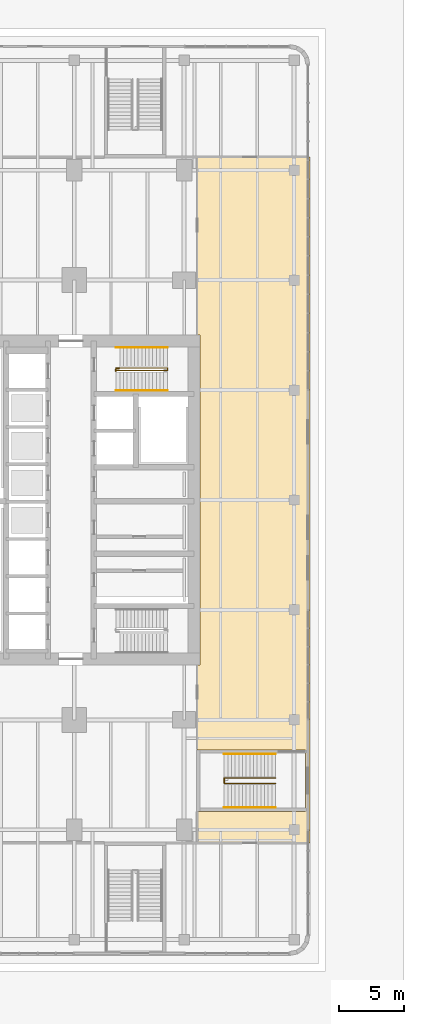
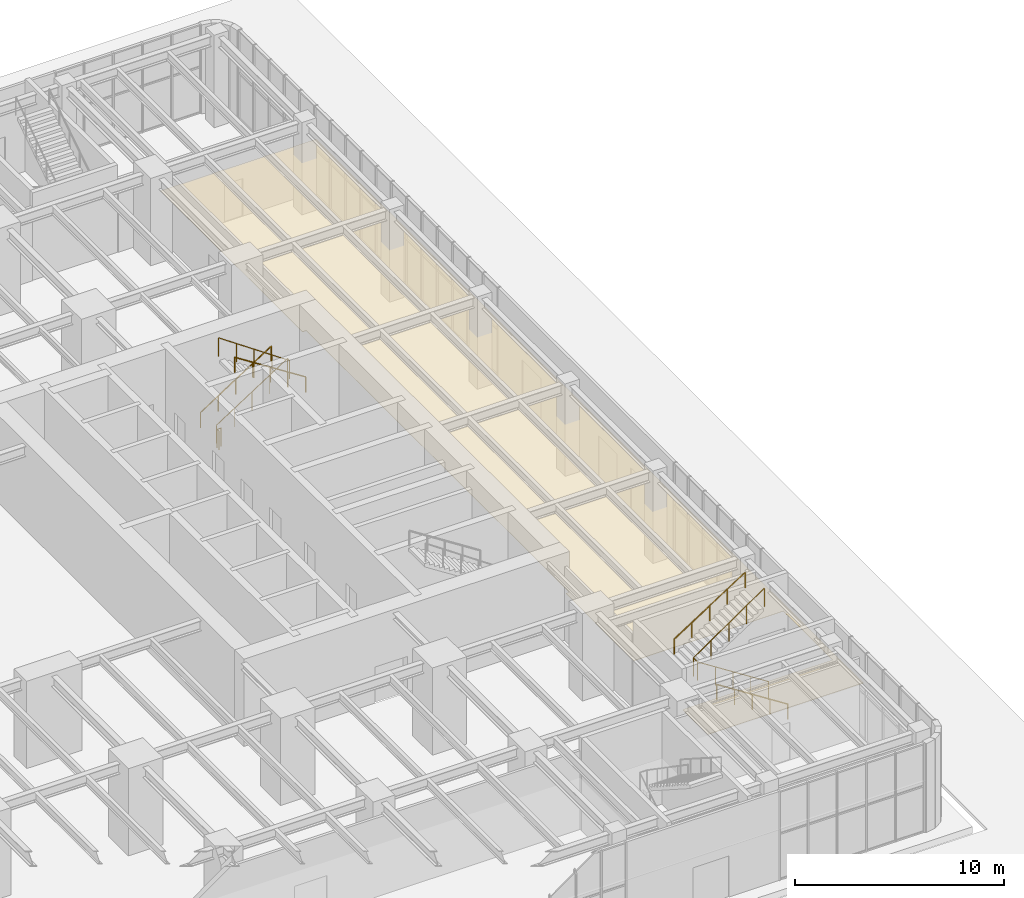
# One storey, part 29 of 31: 7 railings, 1 covering.
"""IFC4 building model written with IfcOpenShell, lengths in metres."""

import ifcopenshell
import ifcopenshell.guid

model = None  # the IFC model being written
_history = None  # IfcOwnerHistory: only IFC2X3 demands one
_inside = {}  # id of a spatial element -> (the spatial element, [elements in it])
_under = {}  # id of a project, library or spatial element -> (it, [spatial elements below it])
_declared = {}  # id of a project -> (the project, [libraries it declares])
_typed = {}  # id of a type object -> (the type object, [elements of that type])
_made_of = {}  # id of a material, layer set ... -> (it, [elements and type objects made of it])


def new_model(schema):
    """Start an empty IFC model of exactly this schema.

    Asked for "IFC4X3", IfcOpenShell would pick the latest addendum, in which some entities
    have other attributes; the version numbers below select the first issue.
    IFC2X3 requires an IfcOwnerHistory on every rooted entity: one is made here for all.
    """
    global model, _history
    if schema == "IFC4X3":
        model = ifcopenshell.file(schema_version=(4, 3, 0, 0))
    else:
        model = ifcopenshell.file(schema=schema)
    _inside.clear()
    _under.clear()
    _declared.clear()
    _typed.clear()
    _made_of.clear()
    _history = None
    if model.schema == "IFC2X3":
        org = make("IfcOrganization", Name="unknown")
        user = make(
            "IfcPersonAndOrganization",
            ThePerson=make("IfcPerson", FamilyName="unknown"),
            TheOrganization=org,
        )
        app = make(
            "IfcApplication",
            ApplicationDeveloper=org,
            Version="unknown",
            ApplicationFullName="unknown",
            ApplicationIdentifier="unknown",
        )
        _history = make(
            "IfcOwnerHistory",
            OwningUser=user,
            OwningApplication=app,
            ChangeAction="ADDED",
            CreationDate=0,
        )
    return model


def make(cls, **values):
    """One entity of the class cls with the attributes given. An attribute that is None is left unset."""
    return model.create_entity(
        cls, **{name: value for name, value in values.items() if value is not None}
    )


def rooted(cls, **values):
    """An entity with a GlobalId (a new one), such as an element, a storey or a relation."""
    return make(cls, GlobalId=ifcopenshell.guid.new(), OwnerHistory=_history, **values)


def si_unit(unit_type, name, prefix=None):
    """IfcSIUnit, for example si_unit("LENGTHUNIT", "METRE", prefix="MILLI")."""
    return make("IfcSIUnit", UnitType=unit_type, Prefix=prefix, Name=name)


def assignment(units):
    """IfcUnitAssignment: the units of a project."""
    return None if units is None else make("IfcUnitAssignment", Units=units)


def point(xyz):
    """IfcCartesianPoint."""
    return None if xyz is None else make("IfcCartesianPoint", Coordinates=xyz)


def direction(xyz):
    """IfcDirection."""
    return None if xyz is None else make("IfcDirection", DirectionRatios=xyz)


def frame(location, z_axis=None, x_axis=None):
    """IfcAxis2Placement3D, a coordinate frame: its origin and axes. An axis left out is left unset."""
    return make(
        "IfcAxis2Placement3D",
        Location=point(location),
        Axis=direction(z_axis),
        RefDirection=direction(x_axis),
    )


def frame_2d(location, x_axis=None):
    """IfcAxis2Placement2D, a coordinate frame in the plane: its origin and x axis."""
    return make(
        "IfcAxis2Placement2D", Location=point(location), RefDirection=direction(x_axis)
    )


def origin():
    """The frame at (0, 0, 0) with its axes left unset."""
    return frame((0.0, 0.0, 0.0))


def origin_2d():
    """The frame at (0, 0) in the plane with its x axis left unset."""
    return frame_2d((0.0, 0.0))


def place(relative_to, where):
    """IfcLocalPlacement: puts the frame where relative to a parent placement (None: the world)."""
    return make(
        "IfcLocalPlacement", PlacementRelTo=relative_to, RelativePlacement=where
    )


def context(
    kind, dimensions, precision=None, world=None, true_north=None, identifier=None
):
    """IfcGeometricRepresentationContext, for example the 3D "Model" context."""
    return make(
        "IfcGeometricRepresentationContext",
        ContextIdentifier=identifier,
        ContextType=kind,
        CoordinateSpaceDimension=dimensions,
        Precision=precision,
        WorldCoordinateSystem=world,
        TrueNorth=true_north,
    )


def subcontext(parent, identifier, kind, view, scale=None):
    """IfcGeometricRepresentationSubContext, for example "Body" below "Model"."""
    return make(
        "IfcGeometricRepresentationSubContext",
        ContextIdentifier=identifier,
        ContextType=kind,
        ParentContext=parent,
        TargetScale=scale,
        TargetView=view,
    )


def project(units=None, contexts=None):
    """IfcProject with its units and contexts."""
    return rooted(
        "IfcProject",
        Name="project",
        RepresentationContexts=contexts,
        UnitsInContext=assignment(units),
    )


def spatial(cls, under=None, at=None, **own):
    """A site, building, storey or space (cls), placed at a placement, below another one or the project."""
    s = rooted(cls, ObjectPlacement=at, **own)
    if under is not None:
        _under.setdefault(under.id(), (under, []))[1].append(s)
    return s


def polyline(points):
    """IfcPolyline through the points."""
    return make("IfcPolyline", Points=[point(p) for p in points])


def profile(cls, at=None, kind="AREA", **sizes):
    """A parametric profile (cls). Its sizes go by their IFC names, for example OverallWidth=200.0."""
    return make(cls, ProfileType=kind, Position=at, **sizes)


def circle(**sizes):
    """IfcCircleProfileDef."""
    return profile("IfcCircleProfileDef", **sizes)


def outline(outer, holes=None, kind="AREA"):
    """IfcArbitraryClosedProfileDef: a profile drawn as a closed curve; with holes, ...WithVoids."""
    if holes is None:
        return make("IfcArbitraryClosedProfileDef", ProfileType=kind, OuterCurve=outer)
    return make(
        "IfcArbitraryProfileDefWithVoids",
        ProfileType=kind,
        OuterCurve=outer,
        InnerCurves=holes,
    )


def extrude(swept, where, along, depth):
    """IfcExtrudedAreaSolid: the profile swept, set in the frame where, extruded along a direction by depth."""
    return make(
        "IfcExtrudedAreaSolid",
        SweptArea=swept,
        Position=where,
        ExtrudedDirection=direction(along),
        Depth=depth,
    )


def shape(context_of_items, identifier, shape_type, items):
    """IfcShapeRepresentation: the items that make up one representation, for example the "Body"."""
    return make(
        "IfcShapeRepresentation",
        ContextOfItems=context_of_items,
        RepresentationIdentifier=identifier,
        RepresentationType=shape_type,
        Items=items,
    )


def material(Name=None, Category=None):
    """IfcMaterial."""
    return make("IfcMaterial", Name=Name, Category=Category)


def layer(
    of_material, thickness, ventilated=None, Name=None, Category=None, Priority=None
):
    """IfcMaterialLayer: one layer of a wall or slab, of a material (None: an air gap)."""
    return make(
        "IfcMaterialLayer",
        Material=of_material,
        LayerThickness=thickness,
        IsVentilated=ventilated,
        Name=Name,
        Category=Category,
        Priority=Priority,
    )


def layer_set(layers, Name=None):
    """IfcMaterialLayerSet."""
    return make("IfcMaterialLayerSet", MaterialLayers=layers, LayerSetName=Name)


def made_of(thing, what):
    """Note that an element or type object is made of a material, layer set ...; save() writes the relation."""
    if what is not None:
        _made_of.setdefault(what.id(), (what, []))[1].append(thing)
    return thing


def type_object(cls, material=None, **own):
    """A type object (cls), such as IfcWallType, which elements share."""
    return made_of(rooted(cls, **own), material)


def element(
    cls,
    number,
    at=None,
    inside=None,
    cuts=None,
    type_object=None,
    material=None,
    context=None,
    identifier="Body",
    shape_type=None,
    held_by="IfcProductDefinitionShape",
    body=None,
    shapes=None,
    **own,
):
    """One element of the class cls, such as IfcWall. Its Tag is "e" and its number.

    at: its placement. inside: the storey or other place that contains it. cuts: it is an
    opening in that element (IfcRelVoidsElement). A single representation is given by context,
    identifier, shape_type and body (its items); several are given by shapes. held_by: the class
    of the entity that holds the representations. save() writes the other relations.
    """
    e = rooted(cls, Tag="e%d" % number, ObjectPlacement=at, **own)
    if body is not None:
        shapes = [shape(context, identifier, shape_type, body)]
    if shapes is not None:
        e.Representation = make(held_by, Representations=shapes)
    if inside is not None:
        _inside.setdefault(inside.id(), (inside, []))[1].append(e)
    if cuts is not None:
        rooted(
            "IfcRelVoidsElement", RelatingBuildingElement=cuts, RelatedOpeningElement=e
        )
    if type_object is not None:
        _typed.setdefault(type_object.id(), (type_object, []))[1].append(e)
    return made_of(e, material)


def aggregate(whole, parts):
    """IfcRelAggregates: a whole, such as a stair, and the parts it consists of."""
    return rooted("IfcRelAggregates", RelatingObject=whole, RelatedObjects=parts)


def save(model, path):
    """Write the relations noted so far, then the file.

    IfcRelAggregates (storeys below a building ...), IfcRelContainedInSpatialStructure (elements
    in a storey), IfcRelDefinesByType, IfcRelAssociatesMaterial and IfcRelDeclares: one each for
    every whole, place, type object, material and project.
    """
    for whole, parts in _under.values():
        aggregate(whole, parts)
    for where, things in _inside.values():
        rooted(
            "IfcRelContainedInSpatialStructure",
            RelatedElements=things,
            RelatingStructure=where,
        )
    for kind, things in _typed.values():
        rooted("IfcRelDefinesByType", RelatedObjects=things, RelatingType=kind)
    for what, things in _made_of.values():
        rooted("IfcRelAssociatesMaterial", RelatedObjects=things, RelatingMaterial=what)
    for by, libraries in _declared.values():
        rooted("IfcRelDeclares", RelatingContext=by, RelatedDefinitions=libraries)
    model.write(path)


model = new_model("IFC4")

# Units and contexts
model_context = context("Model", 3, precision=1e-05, world=origin(), true_north=direction((0.0, 1.0)))
body_context = subcontext(model_context, "Body", "Model", "MODEL_VIEW")
ifc_project = project(units=[si_unit("LENGTHUNIT", "METRE"), si_unit("AREAUNIT", "SQUARE_METRE"), si_unit("VOLUMEUNIT", "CUBIC_METRE"), si_unit("PLANEANGLEUNIT", "RADIAN"), si_unit("MASSUNIT", "GRAM", prefix="KILO")], contexts=[model_context])

# Site, building, storey
site_placement = place(None, origin())
site = spatial("IfcSite", under=ifc_project, at=site_placement, CompositionType="ELEMENT")
building_placement = place(site_placement, origin())
building = spatial("IfcBuilding", under=site, at=building_placement, Name="Claustro Exchange Tower", CompositionType="ELEMENT")
storey_placement = place(building_placement, origin())
storey = spatial("IfcBuildingStorey", under=building, at=storey_placement, Name="L00", CompositionType="ELEMENT", Elevation=0.0)

# Covering
ifc_material_1 = material(Name="Gypsum board ceiling", Category="gypsum board")
ifc_layer = layer(ifc_material_1, 0.02490234375)
ifc_layer_set = layer_set([ifc_layer], Name="Gypsum board ceiling")
covering_type = type_object("IfcCoveringType", Name="CL2 plasterboard ceiling", PredefinedType="CEILING", material=ifc_layer_set)
covering_placement = place(storey_placement, frame((0.0, 0.0, 3.0)))
element("IfcCovering", 1, at=covering_placement, inside=storey, type_object=covering_type, Name="Ceiling CL2 L00-07", PredefinedType="CEILING", context=body_context, shape_type="SweptSolid", body=[
    extrude(outline(polyline([(51.39990234375, -1.0), (60.0, -1.0), (60.0, 51.39990234375), (51.39990234375, 51.39990234375), (51.39990234375, 37.800048828125), (51.60009765625, 37.800048828125), (51.60009765625, 12.60009765625), (51.39990234375, 12.60009765625), (51.39990234375, 6.10009765625), (59.679931640625, 6.10009765625), (59.679931640625, 1.39990234375), (51.39990234375, 1.39990234375), (51.39990234375, -1.0)])), origin(), (0.0, 0.0, 1.0), 0.02490234375),
])

# Railings
ifc_material_2 = material(Name="Steel balustrade, painted", Category="steel")
railing_type_1 = type_object("IfcRailingType", Name="GR2 1100 steel stair guard", PredefinedType="GUARDRAIL", material=ifc_material_2)
railing_1_placement = place(storey_placement, frame((45.199951171875, 35.300048828125, 0.179931640625)))
element("IfcRailing", 2, at=railing_1_placement, inside=storey, type_object=railing_type_1, Name="Stair well guard GR2 stair STEB L00", PredefinedType="GUARDRAIL", context=body_context, shape_type="SweptSolid", body=[
    extrude(circle(Radius=0.02392578125, at=origin_2d()), frame((0.0, 0.0, 1.076171875), z_axis=(0.841186985886, 0.0, 0.540744352514), x_axis=(0.0, 1.0, 0.0)), (0.0, 0.0, 1.0), 4.660400390625),
    extrude(circle(Radius=0.02392578125, at=origin_2d()), frame((3.920166015625, 0.0, 3.59619140625), z_axis=(0.0, -1.0, 0.0), x_axis=(1.0, 0.0, 0.0)), (0.0, 0.0, 1.0), 0.199951171875),
    extrude(circle(Radius=0.02392578125, at=origin_2d()), frame((3.920166015625, -0.199951171875, 3.59619140625), z_axis=(-0.823567234665, 0.0, 0.567218661528), x_axis=(0.0, -1.0, 0.0)), (0.0, 0.0, 1.0), 4.760009765625),
    extrude(circle(Radius=0.02099609375, at=origin_2d()), origin(), (0.0, 0.0, 1.0), 1.052001953125),
    extrude(circle(Radius=0.02099609375, at=origin_2d()), frame((0.97998046875, 0.0, 0.6298828125)), (0.0, 0.0, 1.0), 1.052001953125),
    extrude(circle(Radius=0.02099609375, at=origin_2d()), frame((1.9599609375, 0.0, 1.260009765625)), (0.0, 0.0, 1.0), 1.052001953125),
    extrude(circle(Radius=0.02099609375, at=origin_2d()), frame((2.940185546875, 0.0, 1.89013671875)), (0.0, 0.0, 1.0), 1.052001953125),
    extrude(circle(Radius=0.02099609375, at=origin_2d()), frame((3.920166015625, 0.0, 2.52001953125)), (0.0, 0.0, 1.0), 1.052001953125),
    extrude(circle(Radius=0.02099609375, at=origin_2d()), frame((3.920166015625, -0.199951171875, 2.52001953125)), (0.0, 0.0, 1.0), 1.052001953125),
    extrude(circle(Radius=0.02099609375, at=origin_2d()), frame((2.940185546875, -0.199951171875, 3.195068359375)), (0.0, 0.0, 1.0), 1.052001953125),
    extrude(circle(Radius=0.02099609375, at=origin_2d()), frame((1.9599609375, -0.199951171875, 3.8701171875)), (0.0, 0.0, 1.0), 1.052001953125),
    extrude(circle(Radius=0.02099609375, at=origin_2d()), frame((0.97998046875, -0.199951171875, 4.544921875)), (0.0, 0.0, 1.0), 1.052001953125),
    extrude(circle(Radius=0.02099609375, at=origin_2d()), frame((0.0, -0.199951171875, 5.219970703125)), (0.0, 0.0, 1.0), 1.052001953125),
])
railing_2_placement = place(storey_placement, frame((45.39990234375, 35.22998046875, 0.0)))
element("IfcRailing", 3, at=railing_2_placement, inside=storey, type_object=railing_type_1, Name="Stair guard GR2 STEB L00", PredefinedType="GUARDRAIL", context=body_context, shape_type="SweptSolid", body=[
    extrude(circle(Radius=0.02392578125, at=origin_2d()), frame((0.0, 0.0, 1.076171875), z_axis=(0.0, -1.0, 0.0), x_axis=(1.0, 0.0, 0.0)), (0.0, 0.0, 1.0), 0.030029296875),
    extrude(circle(Radius=0.02392578125, at=origin_2d()), frame((0.0, -0.030029296875, 1.076171875), z_axis=(-1.0, 0.0, 0.0), x_axis=(0.0, -1.0, 0.0)), (0.0, 0.0, 1.0), 0.224853515625),
    extrude(circle(Radius=0.02392578125, at=origin_2d()), frame((-0.224853515625, -0.030029296875, 1.076171875), z_axis=(0.0, -1.0, 0.0), x_axis=(1.0, 0.0, 0.0)), (0.0, 0.0, 1.0), 0.179931640625),
    extrude(circle(Radius=0.02099609375, at=origin_2d()), origin(), (0.0, 0.0, 1.0), 1.052001953125),
    extrude(circle(Radius=0.02099609375, at=origin_2d()), frame((0.0, -0.030029296875, 0.0)), (0.0, 0.0, 1.0), 1.052001953125),
    extrude(circle(Radius=0.02099609375, at=origin_2d()), frame((-0.224853515625, -0.030029296875, 0.0)), (0.0, 0.0, 1.0), 1.052001953125),
    extrude(circle(Radius=0.02099609375, at=origin_2d()), frame((-0.224853515625, -0.2099609375, 0.0)), (0.0, 0.0, 1.0), 1.052001953125),
])
railing_3_placement = place(storey_placement, frame((57.3798828125, 3.550048828125, 0.179931640625)))
element("IfcRailing", 4, at=railing_3_placement, inside=storey, type_object=railing_type_1, Name="Stair well guard GR2 stair STP6 L00", PredefinedType="GUARDRAIL", context=body_context, shape_type="SweptSolid", body=[
    extrude(circle(Radius=0.02392578125, at=origin_2d()), frame((0.0, 0.0, 1.076171875), z_axis=(-0.841171666519, 0.0, 0.540768182723), x_axis=(0.0, -1.0, 0.0)), (0.0, 0.0, 1.0), 4.66015625),
    extrude(circle(Radius=0.02392578125, at=origin_2d()), frame((-3.919921875, 0.0, 3.59619140625), z_axis=(0.0, 1.0, 0.0), x_axis=(-1.0, 0.0, 0.0)), (0.0, 0.0, 1.0), 0.39990234375),
    extrude(circle(Radius=0.02392578125, at=origin_2d()), frame((-3.919921875, 0.39990234375, 3.59619140625), z_axis=(0.823550731654, 0.0, 0.567242622158), x_axis=(0.0, 1.0, 0.0)), (0.0, 0.0, 1.0), 4.759765625),
    extrude(circle(Radius=0.02099609375, at=origin_2d()), origin(), (0.0, 0.0, 1.0), 1.052001953125),
    extrude(circle(Radius=0.02099609375, at=origin_2d()), frame((-0.97998046875, 0.0, 0.6298828125)), (0.0, 0.0, 1.0), 1.052001953125),
    extrude(circle(Radius=0.02099609375, at=origin_2d()), frame((-1.9599609375, 0.0, 1.260009765625)), (0.0, 0.0, 1.0), 1.052001953125),
    extrude(circle(Radius=0.02099609375, at=origin_2d()), frame((-2.93994140625, 0.0, 1.89013671875)), (0.0, 0.0, 1.0), 1.052001953125),
    extrude(circle(Radius=0.02099609375, at=origin_2d()), frame((-3.919921875, 0.0, 2.52001953125)), (0.0, 0.0, 1.0), 1.052001953125),
    extrude(circle(Radius=0.02099609375, at=origin_2d()), frame((-3.919921875, 0.39990234375, 2.52001953125)), (0.0, 0.0, 1.0), 1.052001953125),
    extrude(circle(Radius=0.02099609375, at=origin_2d()), frame((-2.93994140625, 0.39990234375, 3.195068359375)), (0.0, 0.0, 1.0), 1.052001953125),
    extrude(circle(Radius=0.02099609375, at=origin_2d()), frame((-1.9599609375, 0.39990234375, 3.8701171875)), (0.0, 0.0, 1.0), 1.052001953125),
    extrude(circle(Radius=0.02099609375, at=origin_2d()), frame((-0.97998046875, 0.39990234375, 4.544921875)), (0.0, 0.0, 1.0), 1.052001953125),
    extrude(circle(Radius=0.02099609375, at=origin_2d()), frame((0.0, 0.39990234375, 5.219970703125)), (0.0, 0.0, 1.0), 1.052001953125),
])
ifc_material_3 = material(Name="Stainless steel tube", Category="steel")
railing_type_2 = type_object("IfcRailingType", Name="HR1 900 stair handrail", PredefinedType="HANDRAIL", material=ifc_material_3)
railing_4_placement = place(storey_placement, frame((45.199951171875, 36.840087890625, 0.179931640625)))
element("IfcRailing", 5, at=railing_4_placement, inside=storey, type_object=railing_type_2, Name="Handrail HR1 stair STEB L00", PredefinedType="HANDRAIL", context=body_context, shape_type="SweptSolid", body=[
    extrude(circle(Radius=0.02392578125, at=origin_2d()), frame((0.0, 0.0, 0.8759765625), z_axis=(0.841186985886, 0.0, 0.540744352514), x_axis=(0.0, 1.0, 0.0)), (0.0, 0.0, 1.0), 4.660400390625),
    extrude(circle(Radius=0.02099609375, at=origin_2d()), origin(), (0.0, 0.0, 1.0), 0.851806640625),
    extrude(circle(Radius=0.02099609375, at=origin_2d()), frame((0.97998046875, 0.0, 0.6298828125)), (0.0, 0.0, 1.0), 0.851806640625),
    extrude(circle(Radius=0.02099609375, at=origin_2d()), frame((1.9599609375, 0.0, 1.260009765625)), (0.0, 0.0, 1.0), 0.851806640625),
    extrude(circle(Radius=0.02099609375, at=origin_2d()), frame((2.940185546875, 0.0, 1.89013671875)), (0.0, 0.0, 1.0), 0.851806640625),
    extrude(circle(Radius=0.02099609375, at=origin_2d()), frame((3.920166015625, 0.0, 2.52001953125)), (0.0, 0.0, 1.0), 0.851806640625),
])
railing_5_placement = place(storey_placement, frame((49.1201171875, 33.56005859375, 2.8798828125)))
element("IfcRailing", 6, at=railing_5_placement, inside=storey, type_object=railing_type_2, Name="Handrail HR1 stair STEB L00", PredefinedType="HANDRAIL", context=body_context, shape_type="SweptSolid", body=[
    extrude(circle(Radius=0.02392578125, at=origin_2d()), frame((0.0, 0.0, 0.8759765625), z_axis=(-0.841186985886, 0.0, 0.540744352514), x_axis=(0.0, -1.0, 0.0)), (0.0, 0.0, 1.0), 4.660400390625),
    extrude(circle(Radius=0.02099609375, at=origin_2d()), origin(), (0.0, 0.0, 1.0), 0.851806640625),
    extrude(circle(Radius=0.02099609375, at=origin_2d()), frame((-0.97998046875, 0.0, 0.6298828125)), (0.0, 0.0, 1.0), 0.851806640625),
    extrude(circle(Radius=0.02099609375, at=origin_2d()), frame((-1.9599609375, 0.0, 1.260009765625)), (0.0, 0.0, 1.0), 0.851806640625),
    extrude(circle(Radius=0.02099609375, at=origin_2d()), frame((-2.940185546875, 0.0, 1.89013671875)), (0.0, 0.0, 1.0), 0.851806640625),
    extrude(circle(Radius=0.02099609375, at=origin_2d()), frame((-3.920166015625, 0.0, 2.52001953125)), (0.0, 0.0, 1.0), 0.851806640625),
])
railing_6_placement = place(storey_placement, frame((57.3798828125, 1.7099609375, 0.179931640625)))
element("IfcRailing", 7, at=railing_6_placement, inside=storey, type_object=railing_type_2, Name="Handrail HR1 stair STP6 L00", PredefinedType="HANDRAIL", context=body_context, shape_type="SweptSolid", body=[
    extrude(circle(Radius=0.02392578125, at=origin_2d()), frame((0.0, 0.0, 0.8759765625), z_axis=(-0.841171666519, 0.0, 0.540768182723), x_axis=(0.0, -1.0, 0.0)), (0.0, 0.0, 1.0), 4.66015625),
    extrude(circle(Radius=0.02099609375, at=origin_2d()), origin(), (0.0, 0.0, 1.0), 0.851806640625),
    extrude(circle(Radius=0.02099609375, at=origin_2d()), frame((-0.97998046875, 0.0, 0.6298828125)), (0.0, 0.0, 1.0), 0.851806640625),
    extrude(circle(Radius=0.02099609375, at=origin_2d()), frame((-1.9599609375, 0.0, 1.260009765625)), (0.0, 0.0, 1.0), 0.851806640625),
    extrude(circle(Radius=0.02099609375, at=origin_2d()), frame((-2.93994140625, 0.0, 1.89013671875)), (0.0, 0.0, 1.0), 0.851806640625),
    extrude(circle(Radius=0.02099609375, at=origin_2d()), frame((-3.919921875, 0.0, 2.52001953125)), (0.0, 0.0, 1.0), 0.851806640625),
])
railing_7_placement = place(storey_placement, frame((53.4599609375, 5.7900390625, 2.8798828125)))
element("IfcRailing", 8, at=railing_7_placement, inside=storey, type_object=railing_type_2, Name="Handrail HR1 stair STP6 L00", PredefinedType="HANDRAIL", context=body_context, shape_type="SweptSolid", body=[
    extrude(circle(Radius=0.02392578125, at=origin_2d()), frame((0.0, 0.0, 0.8759765625), z_axis=(0.841171666519, 0.0, 0.540768182723), x_axis=(0.0, 1.0, 0.0)), (0.0, 0.0, 1.0), 4.66015625),
    extrude(circle(Radius=0.02099609375, at=origin_2d()), origin(), (0.0, 0.0, 1.0), 0.851806640625),
    extrude(circle(Radius=0.02099609375, at=origin_2d()), frame((0.97998046875, 0.0, 0.6298828125)), (0.0, 0.0, 1.0), 0.851806640625),
    extrude(circle(Radius=0.02099609375, at=origin_2d()), frame((1.9599609375, 0.0, 1.260009765625)), (0.0, 0.0, 1.0), 0.851806640625),
    extrude(circle(Radius=0.02099609375, at=origin_2d()), frame((2.93994140625, 0.0, 1.89013671875)), (0.0, 0.0, 1.0), 0.851806640625),
    extrude(circle(Radius=0.02099609375, at=origin_2d()), frame((3.919921875, 0.0, 2.52001953125)), (0.0, 0.0, 1.0), 0.851806640625),
])

save(model, "model.ifc")
